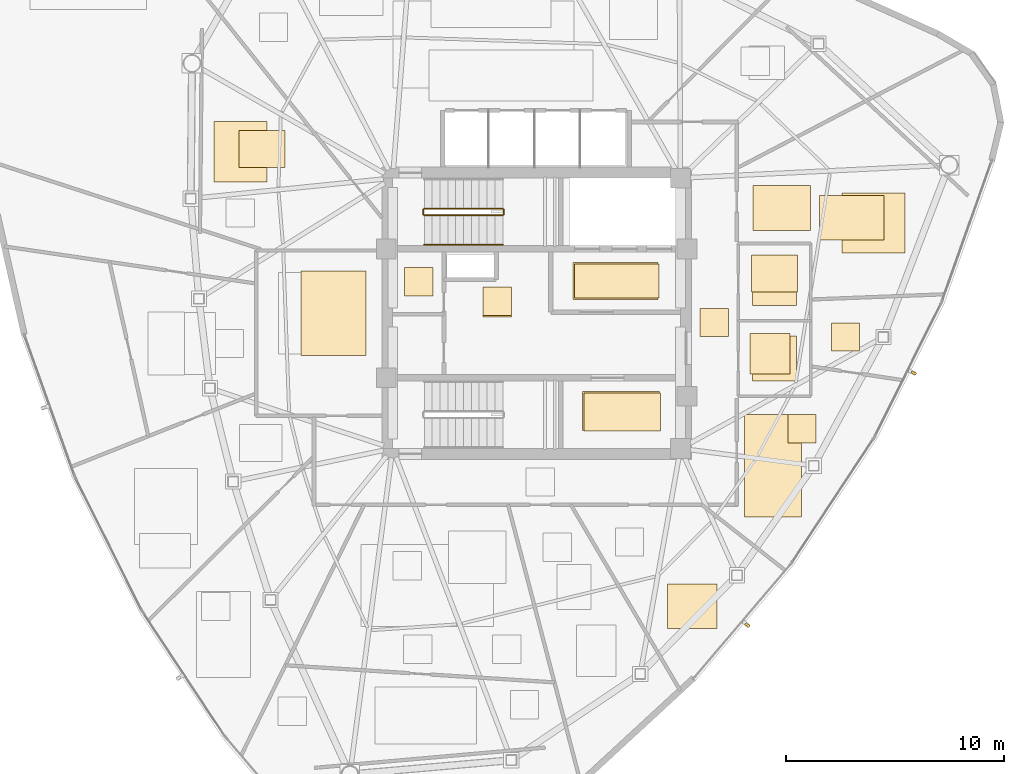
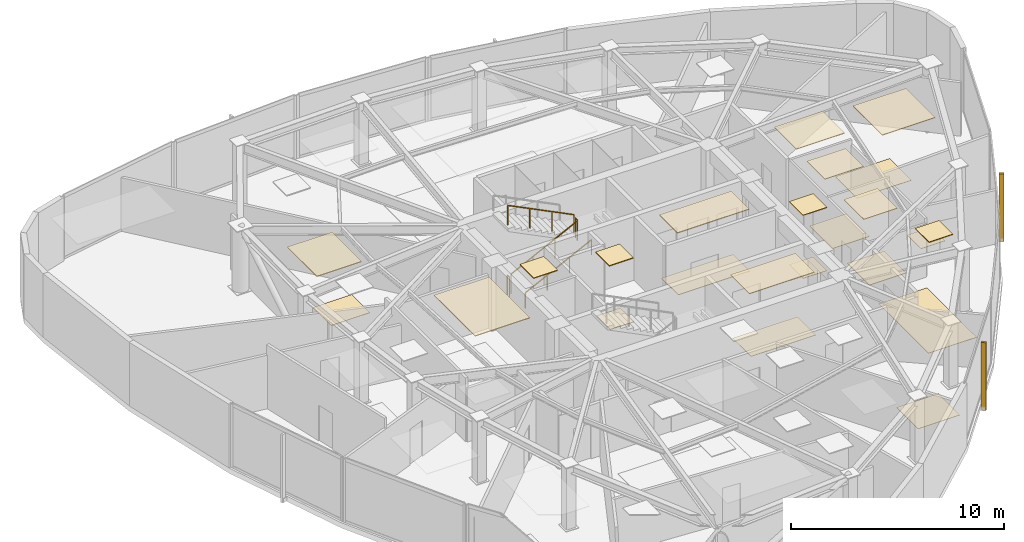
# One storey, part 12 of 13: 23 coverings, 5 railings, 2 shading devices.
"""IFC4 building model written with IfcOpenShell, lengths in metres."""

from ifc_helpers import new_model, si_unit, direction, frame, origin, origin_2d, place, context, subcontext, project, spatial, polyline, rectangle, outline, extrude, source, transform, mapped, material, layer, layer_set, type_object, type_shapes, element, save


model = new_model("IFC4")

# Units and contexts
model_context = context("Model", 3, precision=1e-05, world=origin(), true_north=direction((0.0, 1.0)))
body_context = subcontext(model_context, "Body", "Model", "MODEL_VIEW")
ifc_project = project(units=[si_unit("LENGTHUNIT", "METRE"), si_unit("AREAUNIT", "SQUARE_METRE"), si_unit("VOLUMEUNIT", "CUBIC_METRE"), si_unit("PLANEANGLEUNIT", "RADIAN"), si_unit("MASSUNIT", "GRAM", prefix="KILO")], contexts=[model_context])

# Site, building, storey
site_placement = place(None, origin())
site = spatial("IfcSite", under=ifc_project, at=site_placement, CompositionType="ELEMENT")
building_placement = place(site_placement, origin())
building = spatial("IfcBuilding", under=site, at=building_placement, Name="Tavelor Broadcast Tower", CompositionType="ELEMENT")
storey_placement = place(building_placement, frame((0.0, 0.0, 265.60009765625)))
storey = spatial("IfcBuildingStorey", under=building, at=storey_placement, Name="L63", CompositionType="ELEMENT", Elevation=265.60009765625)

# Coverings
ifc_material_1 = material(Name="Copper-Bronze Anodized Aluminium", Category="aluminium")
ifc_layer_1 = layer(ifc_material_1, 0.044921875)
ifc_layer_set_1 = layer_set([ifc_layer_1], Name="Copper-Bronze Anodized Aluminium")
covering_type_1 = type_object("IfcCoveringType", Name="Anodised Bronze Linear Slatted Concourse Ceiling 45 mm", PredefinedType="CEILING", material=ifc_layer_set_1)
covering_1_placement = place(storey_placement, frame((0.0, 0.0, 3.60498046875)))
element("IfcCovering", 1, at=covering_1_placement, inside=storey, type_object=covering_type_1, Name="L63 Suspended Acoustic Ceiling 2443", PredefinedType="CEILING", context=body_context, shape_type="SweptSolid", body=[
    extrude(outline(polyline([(51.659912109375, 45.6318359375), (55.55712890625, 45.6318359375), (55.55712890625, 47.328125), (51.659912109375, 47.328125), (51.659912109375, 45.6318359375)])), origin(), (0.0, 0.0, 1.0), 0.044921875),
])
covering_2_placement = place(storey_placement, frame((0.0, 0.0, 3.60498046875)))
element("IfcCovering", 2, at=covering_2_placement, inside=storey, type_object=covering_type_1, Name="L63 Suspended Acoustic Ceiling 2445", PredefinedType="CEILING", context=body_context, shape_type="SweptSolid", body=[
    extrude(outline(polyline([(47.5400390625, 44.89794921875), (48.840087890625, 44.89794921875), (48.840087890625, 46.197998046875), (47.5400390625, 46.197998046875), (47.5400390625, 44.89794921875)])), origin(), (0.0, 0.0, 1.0), 0.044921875),
])

# Railing
ifc_material_2 = material(Name="Steel S355", Category="steel")
railing_type_1 = type_object("IfcRailingType", Name="Continuous Brushed Stainless Handrail 900 mm", PredefinedType="HANDRAIL", material=ifc_material_2)
railing_1_placement = place(storey_placement, frame((44.85009765625, 48.14990234375, 0.179443359375)))
element("IfcRailing", 3, at=railing_1_placement, inside=storey, type_object=railing_type_1, Name="L63 ST1 stair handrail 1", PredefinedType="HANDRAIL", context=body_context, shape_type="SweptSolid", body=[
    extrude(rectangle(XDim=0.048095703125, YDim=0.048095703125, at=origin_2d()), frame((0.0, 0.0, 0.8759765625), z_axis=(0.894875846893, 0.0, 0.446315156192), x_axis=(0.0, 1.0, 0.0)), (0.0, 0.0, 1.0), 4.022705078125),
    extrude(rectangle(XDim=0.0419921875, YDim=0.0419921875, at=origin_2d()), origin(), (0.0, 0.0, 1.0), 0.851806640625),
    extrude(rectangle(XDim=0.0419921875, YDim=0.0419921875, at=origin_2d()), frame((1.199951171875, 0.0, 0.598388671875)), (0.0, 0.0, 1.0), 0.851806640625),
    extrude(rectangle(XDim=0.0419921875, YDim=0.0419921875, at=origin_2d()), frame((2.39990234375, 0.0, 1.197021484375)), (0.0, 0.0, 1.0), 0.851806640625),
    extrude(rectangle(XDim=0.0419921875, YDim=0.0419921875, at=origin_2d()), frame((3.599853515625, 0.0, 1.79541015625)), (0.0, 0.0, 1.0), 0.851806640625),
])

# Coverings
ifc_material_3 = material(Name="Architectural Anodized Aluminium", Category="aluminium")
ifc_layer_2 = layer(ifc_material_3, 0.034912109375)
ifc_layer_set_2 = layer_set([ifc_layer_2], Name="Architectural Anodized Aluminium")
covering_type_2 = type_object("IfcCoveringType", Name="Demountable Metal Tile Corridor Ceiling 35 mm", PredefinedType="CEILING", material=ifc_layer_set_2)
covering_3_placement = place(storey_placement, frame((0.0, 0.0, 3.614990234375)))
element("IfcCovering", 4, at=covering_3_placement, inside=storey, type_object=covering_type_2, Name="L63 Suspended Acoustic Ceiling 2447", PredefinedType="CEILING", context=body_context, shape_type="SweptSolid", body=[
    extrude(outline(polyline([(57.489990234375, 43.925048828125), (58.7900390625, 43.925048828125), (58.7900390625, 45.22509765625), (57.489990234375, 45.22509765625), (57.489990234375, 43.925048828125)])), origin(), (0.0, 0.0, 1.0), 0.034912109375),
])
ifc_material_4 = material(Name="Acoustic Nylon Carpet Tile")
ifc_layer_3 = layer(ifc_material_4, 0.02001953125)
ifc_layer_set_3 = layer_set([ifc_layer_3], Name="Acoustic Nylon Carpet Tile")
covering_type_3 = type_object("IfcCoveringType", Name="Heavy-Duty Acoustic Broadcast Carpet Tile 20 mm", PredefinedType="FLOORING", material=ifc_layer_set_3)
covering_4_placement = place(storey_placement, origin())
element("IfcCovering", 5, at=covering_4_placement, inside=storey, type_object=covering_type_3, Name="L63 Broadcast Floor Finish 0930", PredefinedType="FLOORING", context=body_context, shape_type="SweptSolid", body=[
    extrude(outline(polyline([(52.176025390625, 39.611328125), (55.694091796875, 39.611328125), (55.694091796875, 41.341552734375), (52.176025390625, 41.341552734375), (52.176025390625, 39.611328125)])), origin(), (0.0, 0.0, 1.0), 0.02001953125),
])
covering_5_placement = place(storey_placement, origin())
element("IfcCovering", 6, at=covering_5_placement, inside=storey, type_object=covering_type_3, Name="L63 Broadcast Floor Finish 0932", PredefinedType="FLOORING", context=body_context, shape_type="SweptSolid", body=[
    extrude(outline(polyline([(57.489990234375, 43.925048828125), (58.7900390625, 43.925048828125), (58.7900390625, 45.22509765625), (57.489990234375, 45.22509765625), (57.489990234375, 43.925048828125)])), origin(), (0.0, 0.0, 1.0), 0.02001953125),
])
covering_6_placement = place(storey_placement, origin())
element("IfcCovering", 7, at=covering_6_placement, inside=storey, type_object=covering_type_3, Name="L63 Broadcast Floor Finish 0936", PredefinedType="FLOORING", context=body_context, shape_type="SweptSolid", body=[
    extrude(outline(polyline([(63.513671875, 43.259521484375), (64.813720703125, 43.259521484375), (64.813720703125, 44.559326171875), (63.513671875, 44.559326171875), (63.513671875, 43.259521484375)])), origin(), (0.0, 0.0, 1.0), 0.02001953125),
])
covering_7_placement = place(storey_placement, origin())
element("IfcCovering", 8, at=covering_7_placement, inside=storey, type_object=covering_type_3, Name="L63 Broadcast Floor Finish 0937", PredefinedType="FLOORING", context=body_context, shape_type="SweptSolid", body=[
    extrude(outline(polyline([(59.53271484375, 35.668212890625), (62.1533203125, 35.668212890625), (62.1533203125, 40.35009765625), (59.53271484375, 40.35009765625), (59.53271484375, 35.668212890625)])), origin(), (0.0, 0.0, 1.0), 0.02001953125),
])
covering_8_placement = place(storey_placement, origin())
element("IfcCovering", 9, at=covering_8_placement, inside=storey, type_object=covering_type_3, Name="L63 Broadcast Floor Finish 0938", PredefinedType="FLOORING", context=body_context, shape_type="SweptSolid", body=[
    extrude(outline(polyline([(56.0078125, 30.545166015625), (58.282958984375, 30.545166015625), (58.282958984375, 32.5751953125), (56.0078125, 32.5751953125), (56.0078125, 30.545166015625)])), origin(), (0.0, 0.0, 1.0), 0.02001953125),
])
covering_9_placement = place(storey_placement, origin())
element("IfcCovering", 10, at=covering_9_placement, inside=storey, type_object=covering_type_3, Name="L63 Broadcast Floor Finish 0942", PredefinedType="FLOORING", context=body_context, shape_type="SweptSolid", body=[
    extrude(outline(polyline([(36.34716796875, 51.6748046875), (38.45751953125, 51.6748046875), (38.45751953125, 53.391357421875), (36.34716796875, 53.391357421875), (36.34716796875, 51.6748046875)])), origin(), (0.0, 0.0, 1.0), 0.02001953125),
])
covering_10_placement = place(storey_placement, origin())
element("IfcCovering", 11, at=covering_10_placement, inside=storey, type_object=covering_type_3, Name="L63 Broadcast Floor Finish 0945", PredefinedType="FLOORING", context=body_context, shape_type="SweptSolid", body=[
    extrude(outline(polyline([(62.96875, 48.350341796875), (65.93603515625, 48.350341796875), (65.93603515625, 50.39599609375), (62.96875, 50.39599609375), (62.96875, 48.350341796875)])), origin(), (0.0, 0.0, 1.0), 0.02001953125),
])
ifc_material_5 = material(Name="Honed Natural Limestone Tile", Category="masonry")
ifc_layer_4 = layer(ifc_material_5, 0.030029296875)
ifc_layer_set_4 = layer_set([ifc_layer_4], Name="Honed Natural Limestone Tile")
covering_type_4 = type_object("IfcCoveringType", Name="Honed Jerusalem Limestone Concourse Flooring 30 mm", PredefinedType="FLOORING", material=ifc_layer_set_4)
covering_11_placement = place(storey_placement, origin())
element("IfcCovering", 12, at=covering_11_placement, inside=storey, type_object=covering_type_4, Name="L63 Broadcast Floor Finish 0929", PredefinedType="FLOORING", context=body_context, shape_type="SweptSolid", body=[
    extrude(outline(polyline([(51.7373046875, 45.689453125), (55.62255859375, 45.689453125), (55.62255859375, 47.2705078125), (51.7373046875, 47.2705078125), (51.7373046875, 45.689453125)])), origin(), (0.0, 0.0, 1.0), 0.02978515625),
])
covering_12_placement = place(storey_placement, origin())
element("IfcCovering", 13, at=covering_12_placement, inside=storey, type_object=covering_type_4, Name="L63 Broadcast Floor Finish 0931", PredefinedType="FLOORING", context=body_context, shape_type="SweptSolid", body=[
    extrude(outline(polyline([(47.5400390625, 44.818115234375), (48.840087890625, 44.818115234375), (48.840087890625, 46.117919921875), (47.5400390625, 46.117919921875), (47.5400390625, 44.818115234375)])), origin(), (0.0, 0.0, 1.0), 0.02978515625),
])
ifc_layer_5 = layer(ifc_material_3, 0.030029296875)
ifc_layer_set_5 = layer_set([ifc_layer_5], Name="Architectural Anodized Aluminium")
covering_type_5 = type_object("IfcCoveringType", Name="Moisture-Resistant Washroom Ceiling 30 mm", PredefinedType="CEILING", material=ifc_layer_set_5)
covering_13_placement = place(storey_placement, frame((0.0, 0.0, 3.619873046875)))
element("IfcCovering", 14, at=covering_13_placement, inside=storey, type_object=covering_type_5, Name="L63 Suspended Acoustic Ceiling 2450", PredefinedType="CEILING", context=body_context, shape_type="SweptSolid", body=[
    extrude(outline(polyline([(59.7958984375, 42.2060546875), (61.615966796875, 42.2060546875), (61.615966796875, 44.0830078125), (59.7958984375, 44.0830078125), (59.7958984375, 42.2060546875)])), origin(), (0.0, 0.0, 1.0), 0.030029296875),
])
covering_14_placement = place(storey_placement, frame((0.0, 0.0, 3.619873046875)))
element("IfcCovering", 15, at=covering_14_placement, inside=storey, type_object=covering_type_5, Name="L63 Suspended Acoustic Ceiling 2451", PredefinedType="CEILING", context=body_context, shape_type="SweptSolid", body=[
    extrude(outline(polyline([(59.85302734375, 45.971435546875), (61.967041015625, 45.971435546875), (61.967041015625, 47.668212890625), (59.85302734375, 47.668212890625), (59.85302734375, 45.971435546875)])), origin(), (0.0, 0.0, 1.0), 0.030029296875),
])
ifc_material_6 = material(Name="Slip-Resistant Porcelain Tile")
ifc_layer_6 = layer(ifc_material_6, 0.02490234375)
ifc_layer_set_6 = layer_set([ifc_layer_6], Name="Slip-Resistant Porcelain Tile")
covering_type_6 = type_object("IfcCoveringType", Name="Slip-Resistant Porcelain Wet-Area Floor Tile 25 mm", PredefinedType="FLOORING", material=ifc_layer_set_6)
covering_15_placement = place(storey_placement, origin())
element("IfcCovering", 16, at=covering_15_placement, inside=storey, type_object=covering_type_6, Name="L63 Broadcast Floor Finish 0934", PredefinedType="FLOORING", context=body_context, shape_type="SweptSolid", body=[
    extrude(outline(polyline([(59.91064453125, 41.885986328125), (61.909423828125, 41.885986328125), (61.909423828125, 43.964111328125), (59.91064453125, 43.964111328125), (59.91064453125, 41.885986328125)])), origin(), (0.0, 0.0, 1.0), 0.02490234375),
])
covering_16_placement = place(storey_placement, origin())
element("IfcCovering", 17, at=covering_16_placement, inside=storey, type_object=covering_type_6, Name="L63 Broadcast Floor Finish 0935", PredefinedType="FLOORING", context=body_context, shape_type="SweptSolid", body=[
    extrude(outline(polyline([(59.91064453125, 45.35009765625), (61.909423828125, 45.35009765625), (61.909423828125, 47.5), (59.91064453125, 47.5), (59.91064453125, 45.35009765625)])), origin(), (0.0, 0.0, 1.0), 0.02490234375),
])

# Railings
railing_type_2 = type_object("IfcRailingType", Name="Stairwell Steel Safety Guardrail 1150 mm", PredefinedType="GUARDRAIL", material=ifc_material_2)
railing_2_placement = place(storey_placement, frame((44.85009765625, 49.5, 0.179443359375)))
element("IfcRailing", 18, at=railing_2_placement, inside=storey, type_object=railing_type_2, Name="L63 ST1 stair guard 1", PredefinedType="GUARDRAIL", context=body_context, shape_type="SweptSolid", body=[
    extrude(rectangle(XDim=0.048095703125, YDim=0.048095703125, at=origin_2d()), frame((0.0, 0.0, 1.1259765625), z_axis=(0.894875846893, 0.0, 0.446315156192), x_axis=(0.0, 1.0, 0.0)), (0.0, 0.0, 1.0), 4.022705078125),
    extrude(rectangle(XDim=0.0419921875, YDim=0.0419921875, at=origin_2d()), origin(), (0.0, 0.0, 1.0), 1.101806640625),
    extrude(rectangle(XDim=0.0419921875, YDim=0.0419921875, at=origin_2d()), frame((1.199951171875, 0.0, 0.598388671875)), (0.0, 0.0, 1.0), 1.101806640625),
    extrude(rectangle(XDim=0.0419921875, YDim=0.0419921875, at=origin_2d()), frame((2.39990234375, 0.0, 1.197021484375)), (0.0, 0.0, 1.0), 1.101806640625),
    extrude(rectangle(XDim=0.0419921875, YDim=0.0419921875, at=origin_2d()), frame((3.599853515625, 0.0, 1.79541015625)), (0.0, 0.0, 1.0), 1.101806640625),
])
railing_3_placement = place(storey_placement, frame((48.5, 49.550048828125, 1.974853515625)))
element("IfcRailing", 19, at=railing_3_placement, inside=storey, type_object=railing_type_2, Name="L63 ST1 stair guard 2", PredefinedType="GUARDRAIL", context=body_context, shape_type="SweptSolid", body=[
    extrude(rectangle(XDim=0.048095703125, YDim=0.048095703125, at=origin_2d()), frame((0.0, 0.0, 1.1259765625), z_axis=(0.0, 1.0, 0.0), x_axis=(-1.0, 0.0, 0.0)), (0.0, 0.0, 1.0), 0.199951171875),
    extrude(rectangle(XDim=0.0419921875, YDim=0.0419921875, at=origin_2d()), origin(), (0.0, 0.0, 1.0), 1.101806640625),
    extrude(rectangle(XDim=0.0419921875, YDim=0.0419921875, at=origin_2d()), frame((0.0, 0.199951171875, 0.0)), (0.0, 0.0, 1.0), 1.101806640625),
])
railing_4_placement = place(storey_placement, frame((48.449951171875, 49.800048828125, 2.154541015625)))
element("IfcRailing", 20, at=railing_4_placement, inside=storey, type_object=railing_type_2, Name="L63 ST1 stair guard 3", PredefinedType="GUARDRAIL", context=body_context, shape_type="SweptSolid", body=[
    extrude(rectangle(XDim=0.048095703125, YDim=0.048095703125, at=origin_2d()), frame((0.0, 0.0, 1.1259765625), z_axis=(-0.894875846893, 0.0, 0.446315156192), x_axis=(0.0, -1.0, 0.0)), (0.0, 0.0, 1.0), 4.022705078125),
    extrude(rectangle(XDim=0.0419921875, YDim=0.0419921875, at=origin_2d()), origin(), (0.0, 0.0, 1.0), 1.101806640625),
    extrude(rectangle(XDim=0.0419921875, YDim=0.0419921875, at=origin_2d()), frame((-1.199951171875, 0.0, 0.598388671875)), (0.0, 0.0, 1.0), 1.101806640625),
    extrude(rectangle(XDim=0.0419921875, YDim=0.0419921875, at=origin_2d()), frame((-2.39990234375, 0.0, 1.197021484375)), (0.0, 0.0, 1.0), 1.101806640625),
    extrude(rectangle(XDim=0.0419921875, YDim=0.0419921875, at=origin_2d()), frame((-3.599853515625, 0.0, 1.79541015625)), (0.0, 0.0, 1.0), 1.101806640625),
])
railing_5_placement = place(storey_placement, frame((44.800048828125, 49.550048828125, 0.0)))
element("IfcRailing", 21, at=railing_5_placement, inside=storey, type_object=railing_type_2, Name="L63 ST1 stair guard 4", PredefinedType="GUARDRAIL", context=body_context, shape_type="SweptSolid", body=[
    extrude(rectangle(XDim=0.048095703125, YDim=0.048095703125, at=origin_2d()), frame((0.0, 0.0, 1.1259765625), z_axis=(0.0, 1.0, 0.0), x_axis=(-1.0, 0.0, 0.0)), (0.0, 0.0, 1.0), 0.199951171875),
    extrude(rectangle(XDim=0.0419921875, YDim=0.0419921875, at=origin_2d()), origin(), (0.0, 0.0, 1.0), 1.101806640625),
    extrude(rectangle(XDim=0.0419921875, YDim=0.0419921875, at=origin_2d()), frame((0.0, 0.199951171875, 0.0)), (0.0, 0.0, 1.0), 1.101806640625),
])

# Coverings
ifc_material_7 = material(Name="Acoustic Mineral Fibre Tile")
ifc_layer_7 = layer(ifc_material_7, 0.0400390625)
ifc_layer_set_7 = layer_set([ifc_layer_7], Name="Acoustic Mineral Fibre Tile")
covering_type_7 = type_object("IfcCoveringType", Name="Suspended Acoustic Mineral-Fibre Office Ceiling 40 mm", PredefinedType="CEILING", material=ifc_layer_set_7)
covering_17_placement = place(storey_placement, frame((0.0, 0.0, 3.60986328125)))
element("IfcCovering", 22, at=covering_17_placement, inside=storey, type_object=covering_type_7, Name="L63 Suspended Acoustic Ceiling 2444", PredefinedType="CEILING", context=body_context, shape_type="SweptSolid", body=[
    extrude(outline(polyline([(52.098388671875, 39.62255859375), (55.628662109375, 39.62255859375), (55.628662109375, 41.410400390625), (52.098388671875, 41.410400390625), (52.098388671875, 39.62255859375)])), origin(), (0.0, 0.0, 1.0), 0.0400390625),
])
covering_18_placement = place(storey_placement, frame((0.0, 0.0, 3.60986328125)))
element("IfcCovering", 23, at=covering_18_placement, inside=storey, type_object=covering_type_7, Name="L63 Suspended Acoustic Ceiling 2446", PredefinedType="CEILING", context=body_context, shape_type="SweptSolid", body=[
    extrude(outline(polyline([(43.951416015625, 45.794921875), (45.25146484375, 45.794921875), (45.25146484375, 47.094970703125), (43.951416015625, 47.094970703125), (43.951416015625, 45.794921875)])), origin(), (0.0, 0.0, 1.0), 0.0400390625),
])
covering_19_placement = place(storey_placement, frame((0.0, 0.0, 3.60986328125)))
element("IfcCovering", 24, at=covering_19_placement, inside=storey, type_object=covering_type_7, Name="L63 Suspended Acoustic Ceiling 2449", PredefinedType="CEILING", context=body_context, shape_type="SweptSolid", body=[
    extrude(outline(polyline([(39.194580078125, 43.0712890625), (42.177978515625, 43.0712890625), (42.177978515625, 46.927978515625), (39.194580078125, 46.927978515625), (39.194580078125, 43.0712890625)])), origin(), (0.0, 0.0, 1.0), 0.0400390625),
])
covering_20_placement = place(storey_placement, frame((0.0, 0.0, 3.60986328125)))
element("IfcCovering", 25, at=covering_20_placement, inside=storey, type_object=covering_type_7, Name="L63 Suspended Acoustic Ceiling 2452", PredefinedType="CEILING", context=body_context, shape_type="SweptSolid", body=[
    extrude(outline(polyline([(61.521240234375, 39.060302734375), (62.8212890625, 39.060302734375), (62.8212890625, 40.360107421875), (61.521240234375, 40.360107421875), (61.521240234375, 39.060302734375)])), origin(), (0.0, 0.0, 1.0), 0.0400390625),
])
covering_21_placement = place(storey_placement, frame((0.0, 0.0, 3.60986328125)))
element("IfcCovering", 26, at=covering_21_placement, inside=storey, type_object=covering_type_7, Name="L63 Suspended Acoustic Ceiling 2464", PredefinedType="CEILING", context=body_context, shape_type="SweptSolid", body=[
    extrude(outline(polyline([(35.195068359375, 51.021484375), (37.631591796875, 51.021484375), (37.631591796875, 53.799072265625), (35.195068359375, 53.799072265625), (35.195068359375, 51.021484375)])), origin(), (0.0, 0.0, 1.0), 0.0400390625),
])
covering_22_placement = place(storey_placement, frame((0.0, 0.0, 3.60986328125)))
element("IfcCovering", 27, at=covering_22_placement, inside=storey, type_object=covering_type_7, Name="L63 Suspended Acoustic Ceiling 2471", PredefinedType="CEILING", context=body_context, shape_type="SweptSolid", body=[
    extrude(outline(polyline([(64.003662109375, 47.76220703125), (66.884521484375, 47.76220703125), (66.884521484375, 50.519287109375), (64.003662109375, 50.519287109375), (64.003662109375, 47.76220703125)])), origin(), (0.0, 0.0, 1.0), 0.0400390625),
])
covering_23_placement = place(storey_placement, frame((0.0, 0.0, 3.60986328125)))
element("IfcCovering", 28, at=covering_23_placement, inside=storey, type_object=covering_type_7, Name="L63 Suspended Acoustic Ceiling 2472", PredefinedType="CEILING", context=body_context, shape_type="SweptSolid", body=[
    extrude(outline(polyline([(59.935791015625, 48.78564453125), (62.552734375, 48.78564453125), (62.552734375, 50.858642578125), (59.935791015625, 50.858642578125), (59.935791015625, 48.78564453125)])), origin(), (0.0, 0.0, 1.0), 0.0400390625),
])

# Shading devices
ifc_material_8 = material(Name="Kiln-Fired Glazed Terracotta", Category="masonry")
shading_device_type = type_object("IfcShadingDeviceType", Name="Extruded Terracotta Baguette Sun-Screen 110x240", PredefinedType="JALOUSIE", material=ifc_material_8)
shared_shape = source(origin(), body_context, "Body", "SweptSolid", [
    extrude(rectangle(XDim=0.110107421875, YDim=0.239990234375, at=origin_2d()), origin(), (0.0, 0.0, 1.0), 3.889892578125),
])
type_shapes(shading_device_type, [shared_shape])
for number, where, z_axis, x_axis, name in (
    (29, (59.66552734375, 30.701416015625, -0.26025390625), (0.0, 0.0, 1.0), (0.647854034566, 0.761764497661, 0.0), "L63 Terracotta Baguette Fin 651"),
    (30, (67.296142578125, 42.2626953125, -0.26025390625), (0.0, 0.0, 1.0), (0.445729165431, 0.895167867544, 0.0), "L63 Terracotta Baguette Fin 652"),
):
    element("IfcShadingDevice", number, at=place(storey_placement, frame(where, z_axis=z_axis, x_axis=x_axis)), inside=storey, type_object=shading_device_type, Name=name, PredefinedType="JALOUSIE", context=body_context, shape_type="MappedRepresentation", body=[
        mapped(shared_shape, transform((0.0, 0.0, 0.0), scale=1.0)),
    ])

save(model, "model.ifc")
